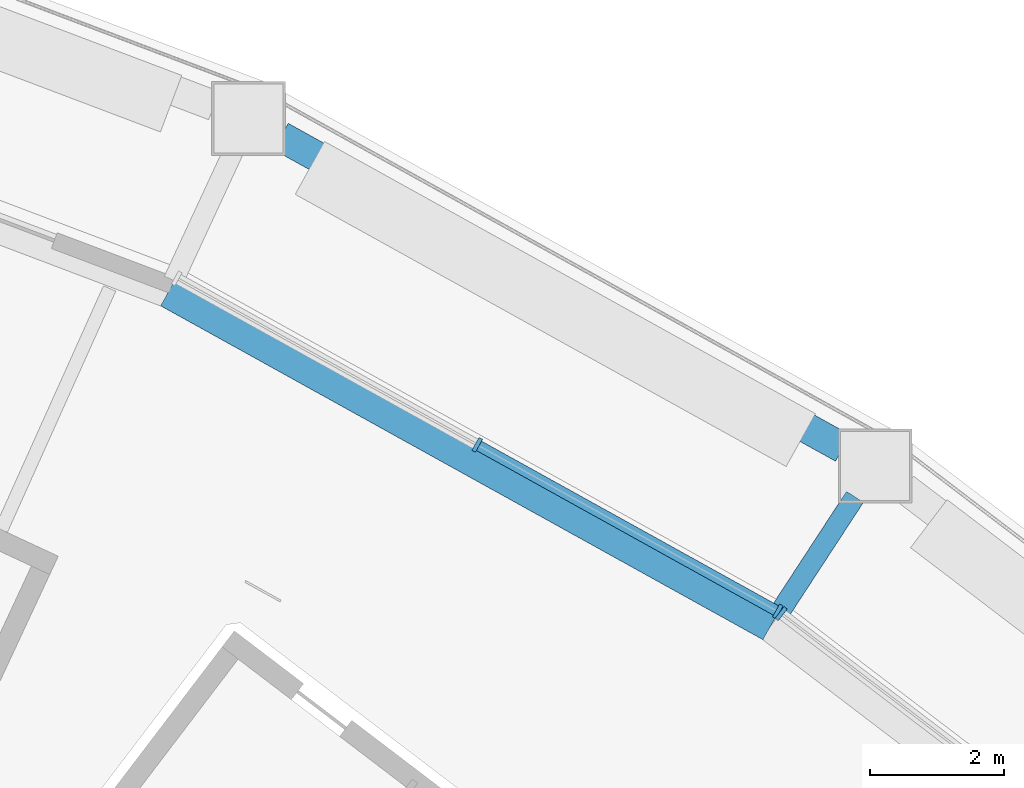
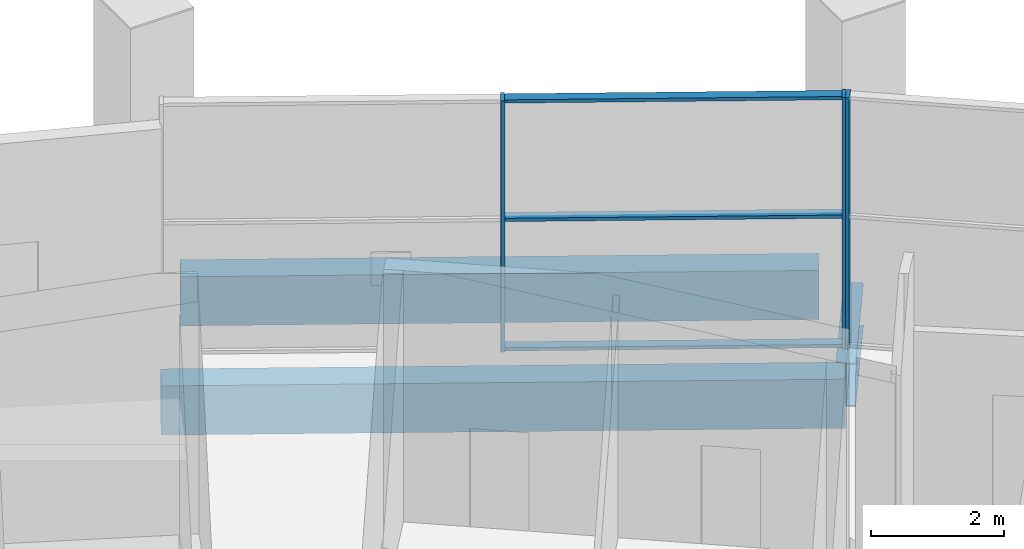
# One storey, part 12 of 28: 6 members, 3 beams, 2 elements without a shape of their own.
"""IFC4 building model written with IfcOpenShell, lengths in metres."""

from ifc_helpers import new_model, si_unit, direction, frame, origin, origin_2d, place, context, subcontext, project, spatial, rectangle, hollow_rectangle, i_section, extrude, material, layer, layer_set, material_profile, profile_set, type_object, element, aggregate, save


model = new_model("IFC4")

# Units and contexts
model_context = context("Model", 3, precision=1e-05, world=origin(), true_north=direction((0.0, 1.0)))
body_context = subcontext(model_context, "Body", "Model", "MODEL_VIEW")
ifc_project = project(units=[si_unit("LENGTHUNIT", "METRE"), si_unit("AREAUNIT", "SQUARE_METRE"), si_unit("VOLUMEUNIT", "CUBIC_METRE"), si_unit("PLANEANGLEUNIT", "RADIAN"), si_unit("MASSUNIT", "GRAM", prefix="KILO")], contexts=[model_context])

# Site, building, storey
site_placement = place(None, origin())
site = spatial("IfcSite", under=ifc_project, at=site_placement, CompositionType="ELEMENT")
building_placement = place(site_placement, origin())
building = spatial("IfcBuilding", under=site, at=building_placement, Name="Tuul Gate Civic Tower", CompositionType="ELEMENT")
storey_placement = place(building_placement, frame((0.0, 0.0, 128.699951171875)))
storey = spatial("IfcBuildingStorey", under=building, at=storey_placement, Name="Sky garden level 1", CompositionType="ELEMENT", Elevation=128.699951171875)

# Curtain wall, member
ifc_material_1 = material(Name="Aluminium", Category="aluminium")
ifc_layer = layer(ifc_material_1, 0.199951171875)
ifc_layer_set = layer_set([ifc_layer], Name="Aluminium")
curtain_wall_type = type_object("IfcCurtainWallType", Name="Curtain wall CW3", PredefinedType="NOTDEFINED", material=ifc_layer_set)
curtain_wall_1_placement = place(storey_placement, origin())
curtain_wall_1 = element("IfcCurtainWall", 1, at=curtain_wall_1_placement, inside=storey, type_object=curtain_wall_type, Name="Curtain wall CW3", PredefinedType="NOTDEFINED")
ifc_material_2 = material(Name="Aluminium", Category="aluminium")
ifc_material_profile_1 = material_profile(ifc_material_2, rectangle(XDim=0.219970703125, YDim=0.06005859375, at=origin_2d()), Name="CW3 mullion")
ifc_profile_set_1 = profile_set([ifc_material_profile_1], Name="Aluminium")
member_type_1 = type_object("IfcMemberType", Name="CW3 mullion", PredefinedType="MULLION", material=ifc_profile_set_1)
member_1_placement = place(storey_placement, frame((48.829833984375, -0.537109375, 0.0), z_axis=(0.0, 0.0, 1.0), x_axis=(-0.605809182627, -0.79560997621, 0.0)))
member_1 = element("IfcMember", 2, at=member_1_placement, type_object=member_type_1, Name="Mullion", PredefinedType="MULLION", context=body_context, shape_type="SweptSolid", body=[
    extrude(rectangle(XDim=0.219970703125, YDim=0.06005859375, at=origin_2d()), origin(), (0.0, 0.0, 1.0), 4.60009765625),
])
aggregate(curtain_wall_1, [member_1])

# Curtain wall, members
curtain_wall_2_placement = place(storey_placement, origin())
curtain_wall_2 = element("IfcCurtainWall", 3, at=curtain_wall_2_placement, inside=storey, type_object=curtain_wall_type, Name="Curtain wall CW3", PredefinedType="NOTDEFINED")
member_2_placement = place(storey_placement, frame((48.77978515625, -0.50439453125, 0.0), z_axis=(0.0, 0.0, 1.0), x_axis=(-0.484826682646, -0.874610249079, 0.0)))
member_2 = element("IfcMember", 4, at=member_2_placement, type_object=member_type_1, Name="Mullion", PredefinedType="MULLION", context=body_context, shape_type="SweptSolid", body=[
    extrude(rectangle(XDim=0.219970703125, YDim=0.06005859375, at=origin_2d()), origin(), (0.0, 0.0, 1.0), 4.60009765625),
])
member_3_placement = place(storey_placement, frame((44.301513671875, 1.97802734375, 0.0), z_axis=(0.0, 0.0, 1.0), x_axis=(-0.484826682646, -0.874610249079, 0.0)))
member_3 = element("IfcMember", 5, at=member_3_placement, type_object=member_type_1, Name="Mullion", PredefinedType="MULLION", context=body_context, shape_type="SweptSolid", body=[
    extrude(rectangle(XDim=0.219970703125, YDim=0.06005859375, at=origin_2d()), origin(), (0.0, 0.0, 1.0), 4.60009765625),
])
ifc_material_3 = material(Name="Aluminium", Category="aluminium")
ifc_material_profile_2 = material_profile(ifc_material_3, rectangle(XDim=0.159912109375, YDim=0.06005859375, at=origin_2d()), Name="CW3 transom")
ifc_profile_set_2 = profile_set([ifc_material_profile_2], Name="Aluminium")
member_type_2 = type_object("IfcMemberType", Name="CW3 transom", PredefinedType="USERDEFINED", material=ifc_profile_set_2)
member_4_placement = place(storey_placement, frame((48.75341796875, -0.489990234375, 0.030029296875), z_axis=(-0.874609774473, 0.484827538817, 0.0), x_axis=(-0.484827538817, -0.874609774473, 0.0)))
member_4 = element("IfcMember", 6, at=member_4_placement, type_object=member_type_2, Name="Transom", ObjectType="TRANSOM", PredefinedType="USERDEFINED", context=body_context, shape_type="SweptSolid", body=[
    extrude(rectangle(XDim=0.159912109375, YDim=0.06005859375, at=origin_2d()), origin(), (0.0, 0.0, 1.0), 5.060302734375),
])
member_5_placement = place(storey_placement, frame((48.75341796875, -0.489990234375, 2.400146484375), z_axis=(-0.874609774473, 0.484827538817, 0.0), x_axis=(-0.484827538817, -0.874609774473, 0.0)))
member_5 = element("IfcMember", 7, at=member_5_placement, type_object=member_type_2, Name="Transom", ObjectType="TRANSOM", PredefinedType="USERDEFINED", context=body_context, shape_type="SweptSolid", body=[
    extrude(rectangle(XDim=0.159912109375, YDim=0.06005859375, at=origin_2d()), origin(), (0.0, 0.0, 1.0), 5.060302734375),
])
member_6_placement = place(storey_placement, frame((48.75341796875, -0.489990234375, 4.570068359375), z_axis=(-0.874609774473, 0.484827538817, 0.0), x_axis=(-0.484827538817, -0.874609774473, 0.0)))
member_6 = element("IfcMember", 8, at=member_6_placement, type_object=member_type_2, Name="Transom", ObjectType="TRANSOM", PredefinedType="USERDEFINED", context=body_context, shape_type="SweptSolid", body=[
    extrude(rectangle(XDim=0.159912109375, YDim=0.06005859375, at=origin_2d()), origin(), (0.0, 0.0, 1.0), 5.060302734375),
])
aggregate(curtain_wall_2, [member_2, member_3, member_4, member_5, member_6])

# Beams
ifc_material_4 = material(Name="Steel S355", Category="steel")
ifc_material_profile_3 = material_profile(ifc_material_4, i_section(OverallWidth=0.300048828125, OverallDepth=0.800048828125, WebThickness=0.013916015625, FlangeThickness=0.02490234375, at=origin_2d()), Name="PG800x300x14x25")
ifc_profile_set_3 = profile_set([ifc_material_profile_3], Name="Steel S355")
beam_type_1 = type_object("IfcBeamType", Name="STR-FLOOR BEAM-PG800x300x14x25", PredefinedType="BEAM", material=ifc_profile_set_3)
beam_1_placement = place(storey_placement, frame((49.930419921875, 1.203369140625, -0.699951171875), z_axis=(-0.546762384414, -0.837287820878, 0.0), x_axis=(0.837287820878, -0.546762384414, 0.0)))
element("IfcBeam", 9, at=beam_1_placement, inside=storey, type_object=beam_type_1, Name="Terrace beam", PredefinedType="BEAM", context=body_context, shape_type="SweptSolid", body=[
    extrude(i_section(OverallWidth=0.300048828125, OverallDepth=0.800048828125, WebThickness=0.013916015625, FlangeThickness=0.02490234375, at=origin_2d()), origin(), (0.0, 0.0, 1.0), 2.107666015625),
])
ifc_material_5 = material(Name="Steel S355", Category="steel")
ifc_material_profile_4 = material_profile(ifc_material_5, hollow_rectangle(XDim=0.449951171875, YDim=0.89990234375, WallThickness=0.02490234375, at=origin_2d()), Name="BOX900x450x25")
ifc_profile_set_4 = profile_set([ifc_material_profile_4], Name="Steel S355")
beam_type_2 = type_object("IfcBeamType", Name="STR-SPANDREL BEAM-BOX900x450x25", PredefinedType="BEAM", material=ifc_profile_set_4)
beam_2_placement = place(storey_placement, frame((39.69140625, 4.2470703125, -0.75), z_axis=(0.874634816615, -0.48478236103, 0.0), x_axis=(0.48478236103, 0.874634816615, 0.0)))
element("IfcBeam", 10, at=beam_2_placement, inside=storey, type_object=beam_type_2, Name="Spandrel beam", PredefinedType="BEAM", context=body_context, shape_type="SweptSolid", body=[
    extrude(hollow_rectangle(XDim=0.449951171875, YDim=0.89990234375, WallThickness=0.02490234375, at=origin_2d()), origin(), (0.0, 0.0, 1.0), 10.26416015625),
])
beam_3_placement = place(storey_placement, frame((49.75, 1.9306640625, -0.75), z_axis=(-0.874633056334, 0.484785536879, 0.0), x_axis=(-0.484785536879, -0.874633056334, 0.0)))
element("IfcBeam", 11, at=beam_3_placement, inside=storey, type_object=beam_type_2, Name="Terrace edge beam", PredefinedType="BEAM", context=body_context, shape_type="SweptSolid", body=[
    extrude(hollow_rectangle(XDim=0.449951171875, YDim=0.89990234375, WallThickness=0.02490234375, at=origin_2d()), origin(), (0.0, 0.0, 1.0), 9.57666015625),
])

save(model, "model.ifc")
